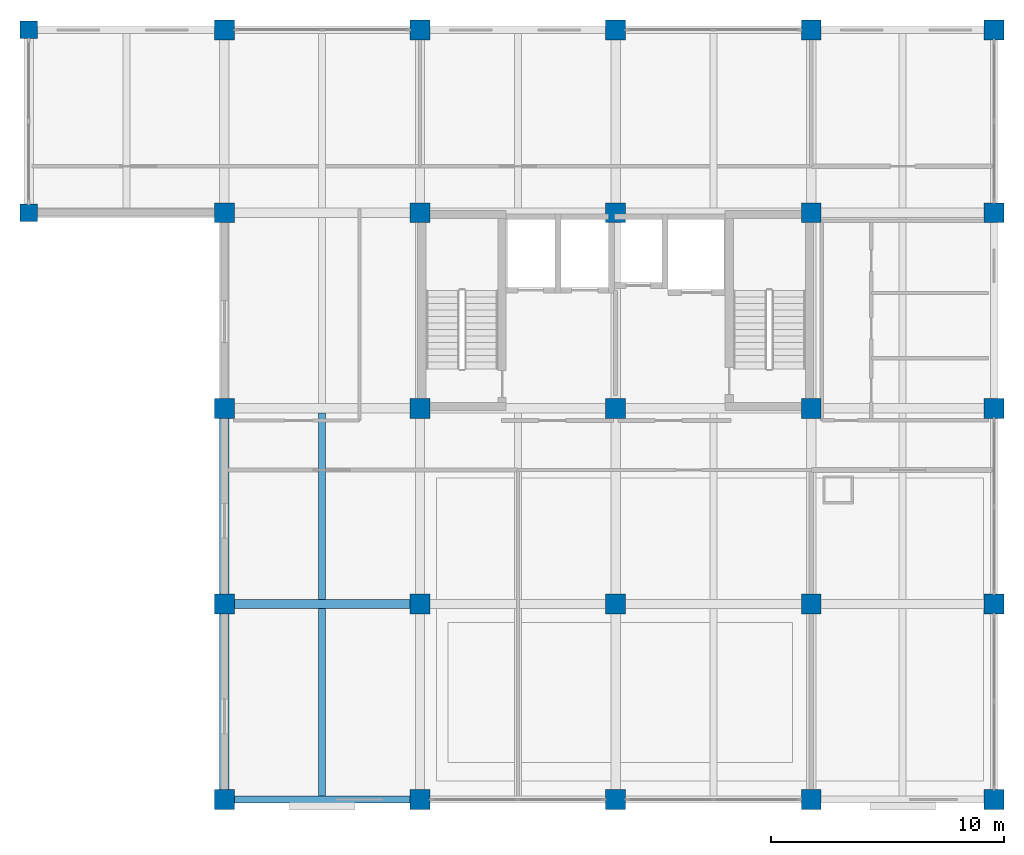
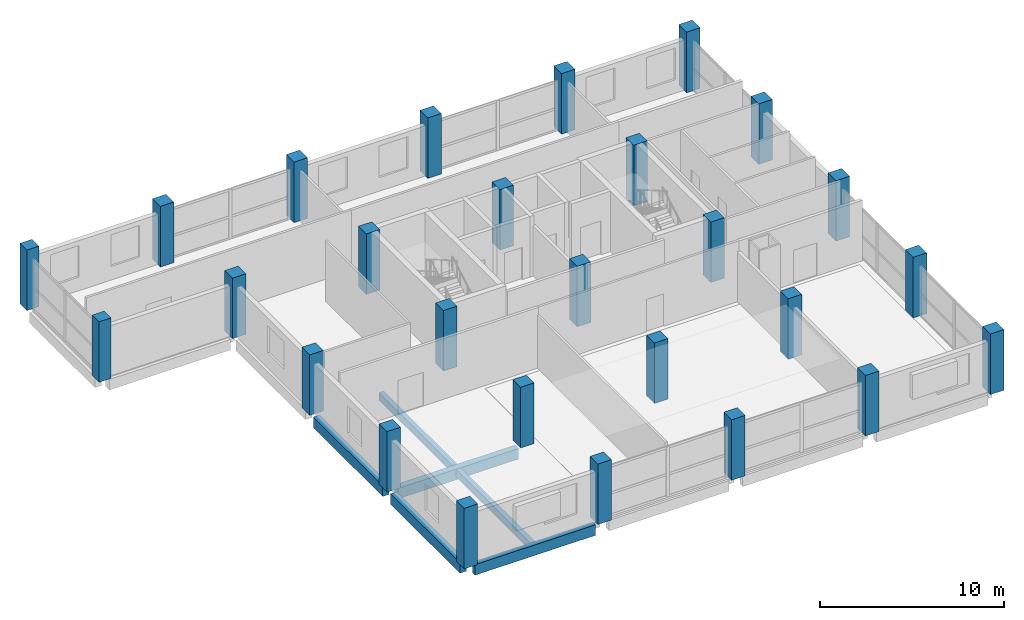
# One storey, part 1 of 9: 27 columns, 6 beams.
"""IFC4 building model written with IfcOpenShell, lengths in metres."""

import ifcopenshell
import ifcopenshell.guid

model = None  # the IFC model being written
_history = None  # IfcOwnerHistory: only IFC2X3 demands one
_inside = {}  # id of a spatial element -> (the spatial element, [elements in it])
_under = {}  # id of a project, library or spatial element -> (it, [spatial elements below it])
_declared = {}  # id of a project -> (the project, [libraries it declares])
_typed = {}  # id of a type object -> (the type object, [elements of that type])
_made_of = {}  # id of a material, layer set ... -> (it, [elements and type objects made of it])


def new_model(schema):
    """Start an empty IFC model of exactly this schema.

    Asked for "IFC4X3", IfcOpenShell would pick the latest addendum, in which some entities
    have other attributes; the version numbers below select the first issue.
    IFC2X3 requires an IfcOwnerHistory on every rooted entity: one is made here for all.
    """
    global model, _history
    if schema == "IFC4X3":
        model = ifcopenshell.file(schema_version=(4, 3, 0, 0))
    else:
        model = ifcopenshell.file(schema=schema)
    _inside.clear()
    _under.clear()
    _declared.clear()
    _typed.clear()
    _made_of.clear()
    _history = None
    if model.schema == "IFC2X3":
        org = make("IfcOrganization", Name="unknown")
        user = make(
            "IfcPersonAndOrganization",
            ThePerson=make("IfcPerson", FamilyName="unknown"),
            TheOrganization=org,
        )
        app = make(
            "IfcApplication",
            ApplicationDeveloper=org,
            Version="unknown",
            ApplicationFullName="unknown",
            ApplicationIdentifier="unknown",
        )
        _history = make(
            "IfcOwnerHistory",
            OwningUser=user,
            OwningApplication=app,
            ChangeAction="ADDED",
            CreationDate=0,
        )
    return model


def make(cls, **values):
    """One entity of the class cls with the attributes given. An attribute that is None is left unset."""
    return model.create_entity(
        cls, **{name: value for name, value in values.items() if value is not None}
    )


def rooted(cls, **values):
    """An entity with a GlobalId (a new one), such as an element, a storey or a relation."""
    return make(cls, GlobalId=ifcopenshell.guid.new(), OwnerHistory=_history, **values)


def si_unit(unit_type, name, prefix=None):
    """IfcSIUnit, for example si_unit("LENGTHUNIT", "METRE", prefix="MILLI")."""
    return make("IfcSIUnit", UnitType=unit_type, Prefix=prefix, Name=name)


def assignment(units):
    """IfcUnitAssignment: the units of a project."""
    return None if units is None else make("IfcUnitAssignment", Units=units)


def point(xyz):
    """IfcCartesianPoint."""
    return None if xyz is None else make("IfcCartesianPoint", Coordinates=xyz)


def direction(xyz):
    """IfcDirection."""
    return None if xyz is None else make("IfcDirection", DirectionRatios=xyz)


def frame(location, z_axis=None, x_axis=None):
    """IfcAxis2Placement3D, a coordinate frame: its origin and axes. An axis left out is left unset."""
    return make(
        "IfcAxis2Placement3D",
        Location=point(location),
        Axis=direction(z_axis),
        RefDirection=direction(x_axis),
    )


def frame_2d(location, x_axis=None):
    """IfcAxis2Placement2D, a coordinate frame in the plane: its origin and x axis."""
    return make(
        "IfcAxis2Placement2D", Location=point(location), RefDirection=direction(x_axis)
    )


def origin():
    """The frame at (0, 0, 0) with its axes left unset."""
    return frame((0.0, 0.0, 0.0))


def origin_2d():
    """The frame at (0, 0) in the plane with its x axis left unset."""
    return frame_2d((0.0, 0.0))


def place(relative_to, where):
    """IfcLocalPlacement: puts the frame where relative to a parent placement (None: the world)."""
    return make(
        "IfcLocalPlacement", PlacementRelTo=relative_to, RelativePlacement=where
    )


def context(
    kind, dimensions, precision=None, world=None, true_north=None, identifier=None
):
    """IfcGeometricRepresentationContext, for example the 3D "Model" context."""
    return make(
        "IfcGeometricRepresentationContext",
        ContextIdentifier=identifier,
        ContextType=kind,
        CoordinateSpaceDimension=dimensions,
        Precision=precision,
        WorldCoordinateSystem=world,
        TrueNorth=true_north,
    )


def subcontext(parent, identifier, kind, view, scale=None):
    """IfcGeometricRepresentationSubContext, for example "Body" below "Model"."""
    return make(
        "IfcGeometricRepresentationSubContext",
        ContextIdentifier=identifier,
        ContextType=kind,
        ParentContext=parent,
        TargetScale=scale,
        TargetView=view,
    )


def project(units=None, contexts=None):
    """IfcProject with its units and contexts."""
    return rooted(
        "IfcProject",
        Name="project",
        RepresentationContexts=contexts,
        UnitsInContext=assignment(units),
    )


def spatial(cls, under=None, at=None, **own):
    """A site, building, storey or space (cls), placed at a placement, below another one or the project."""
    s = rooted(cls, ObjectPlacement=at, **own)
    if under is not None:
        _under.setdefault(under.id(), (under, []))[1].append(s)
    return s


def profile(cls, at=None, kind="AREA", **sizes):
    """A parametric profile (cls). Its sizes go by their IFC names, for example OverallWidth=200.0."""
    return make(cls, ProfileType=kind, Position=at, **sizes)


def rectangle(**sizes):
    """IfcRectangleProfileDef."""
    return profile("IfcRectangleProfileDef", **sizes)


def extrude(swept, where, along, depth):
    """IfcExtrudedAreaSolid: the profile swept, set in the frame where, extruded along a direction by depth."""
    return make(
        "IfcExtrudedAreaSolid",
        SweptArea=swept,
        Position=where,
        ExtrudedDirection=direction(along),
        Depth=depth,
    )


def shape(context_of_items, identifier, shape_type, items):
    """IfcShapeRepresentation: the items that make up one representation, for example the "Body"."""
    return make(
        "IfcShapeRepresentation",
        ContextOfItems=context_of_items,
        RepresentationIdentifier=identifier,
        RepresentationType=shape_type,
        Items=items,
    )


def material(Name=None, Category=None):
    """IfcMaterial."""
    return make("IfcMaterial", Name=Name, Category=Category)


def material_profile(
    of_material, cross_section, Name=None, Category=None, Priority=None
):
    """IfcMaterialProfile: a cross section and its material."""
    return make(
        "IfcMaterialProfile",
        Name=Name,
        Material=of_material,
        Profile=cross_section,
        Priority=Priority,
        Category=Category,
    )


def profile_set(profiles, Name=None, composite=None):
    """IfcMaterialProfileSet."""
    return make(
        "IfcMaterialProfileSet",
        Name=Name,
        MaterialProfiles=profiles,
        CompositeProfile=composite,
    )


def made_of(thing, what):
    """Note that an element or type object is made of a material, layer set ...; save() writes the relation."""
    if what is not None:
        _made_of.setdefault(what.id(), (what, []))[1].append(thing)
    return thing


def type_object(cls, material=None, **own):
    """A type object (cls), such as IfcWallType, which elements share."""
    return made_of(rooted(cls, **own), material)


def element(
    cls,
    number,
    at=None,
    inside=None,
    cuts=None,
    type_object=None,
    material=None,
    context=None,
    identifier="Body",
    shape_type=None,
    held_by="IfcProductDefinitionShape",
    body=None,
    shapes=None,
    **own,
):
    """One element of the class cls, such as IfcWall. Its Tag is "e" and its number.

    at: its placement. inside: the storey or other place that contains it. cuts: it is an
    opening in that element (IfcRelVoidsElement). A single representation is given by context,
    identifier, shape_type and body (its items); several are given by shapes. held_by: the class
    of the entity that holds the representations. save() writes the other relations.
    """
    e = rooted(cls, Tag="e%d" % number, ObjectPlacement=at, **own)
    if body is not None:
        shapes = [shape(context, identifier, shape_type, body)]
    if shapes is not None:
        e.Representation = make(held_by, Representations=shapes)
    if inside is not None:
        _inside.setdefault(inside.id(), (inside, []))[1].append(e)
    if cuts is not None:
        rooted(
            "IfcRelVoidsElement", RelatingBuildingElement=cuts, RelatedOpeningElement=e
        )
    if type_object is not None:
        _typed.setdefault(type_object.id(), (type_object, []))[1].append(e)
    return made_of(e, material)


def aggregate(whole, parts):
    """IfcRelAggregates: a whole, such as a stair, and the parts it consists of."""
    return rooted("IfcRelAggregates", RelatingObject=whole, RelatedObjects=parts)


def save(model, path):
    """Write the relations noted so far, then the file.

    IfcRelAggregates (storeys below a building ...), IfcRelContainedInSpatialStructure (elements
    in a storey), IfcRelDefinesByType, IfcRelAssociatesMaterial and IfcRelDeclares: one each for
    every whole, place, type object, material and project.
    """
    for whole, parts in _under.values():
        aggregate(whole, parts)
    for where, things in _inside.values():
        rooted(
            "IfcRelContainedInSpatialStructure",
            RelatedElements=things,
            RelatingStructure=where,
        )
    for kind, things in _typed.values():
        rooted("IfcRelDefinesByType", RelatedObjects=things, RelatingType=kind)
    for what, things in _made_of.values():
        rooted("IfcRelAssociatesMaterial", RelatedObjects=things, RelatingMaterial=what)
    for by, libraries in _declared.values():
        rooted("IfcRelDeclares", RelatingContext=by, RelatedDefinitions=libraries)
    model.write(path)


model = new_model("IFC4")

# Units and contexts
model_context = context("Model", 3, precision=1e-05, world=origin(), true_north=direction((0.0, 1.0)))
body_context = subcontext(model_context, "Body", "Model", "MODEL_VIEW")
ifc_project = project(units=[si_unit("LENGTHUNIT", "METRE"), si_unit("AREAUNIT", "SQUARE_METRE"), si_unit("VOLUMEUNIT", "CUBIC_METRE"), si_unit("PLANEANGLEUNIT", "RADIAN"), si_unit("MASSUNIT", "GRAM", prefix="KILO")], contexts=[model_context])

# Site, building, storey
site_placement = place(None, origin())
site = spatial("IfcSite", under=ifc_project, at=site_placement, CompositionType="ELEMENT")
building_placement = place(site_placement, origin())
building = spatial("IfcBuilding", under=site, at=building_placement, Name="Brinegate Botanical Conservatory", CompositionType="ELEMENT")
storey_placement = place(building_placement, frame((0.0, 0.0, 31.800048828125)))
storey = spatial("IfcBuildingStorey", under=building, at=storey_placement, Name="L08", CompositionType="ELEMENT", Elevation=31.800048828125)

# Columns
ifc_material = material(Name="Concrete C40/50", Category="concrete")
ifc_material_profile_1 = material_profile(ifc_material, rectangle(XDim=0.85009765625, YDim=0.85009765625, at=origin_2d()), Name="RC COL 850x850")
ifc_profile_set_1 = profile_set([ifc_material_profile_1], Name="Concrete C40/50")
column_type_1 = type_object("IfcColumnType", Name="Col_C-T3", PredefinedType="COLUMN", material=ifc_profile_set_1)
for number, where, z_axis, x_axis, name in (
    (1, (130.39990234375, 78.39990234375, 0.0), (0.0, 0.0, 1.0), (1.0, 0.0, 0.0), "Column C-T3 L08 K-17"),
    (2, (130.39990234375, 86.800048828125, 0.0), (0.0, 0.0, 1.0), (1.0, 0.0, 0.0), "Column C-T3 L08 L-17"),
    (3, (130.39990234375, 95.199951171875, 0.0), (0.0, 0.0, 1.0), (1.0, 0.0, 0.0), "Column C-T3 L08 M-17"),
    (4, (130.39990234375, 103.60009765625, 0.0), (0.0, 0.0, 1.0), (1.0, 0.0, 0.0), "Column C-T3 L08 N-17"),
    (5, (130.39990234375, 111.449951171875, 0.0), (0.0, 0.0, 1.0), (1.0, 0.0, 0.0), "Column C-T3 L08 P-17"),
    (6, (138.800048828125, 78.39990234375, 0.0), (0.0, 0.0, 1.0), (1.0, 0.0, 0.0), "Column C-T3 L08 K-18"),
    (7, (138.800048828125, 86.800048828125, 0.0), (0.0, 0.0, 1.0), (1.0, 0.0, 0.0), "Column C-T3 L08 L-18"),
    (8, (138.800048828125, 95.199951171875, 0.0), (0.0, 0.0, 1.0), (1.0, 0.0, 0.0), "Column C-T3 L08 M-18"),
    (9, (138.800048828125, 103.60009765625, 0.0), (0.0, 0.0, 1.0), (1.0, 0.0, 0.0), "Column C-T3 L08 N-18"),
    (10, (138.800048828125, 111.449951171875, 0.0), (0.0, 0.0, 1.0), (1.0, 0.0, 0.0), "Column C-T3 L08 P-18"),
    (11, (147.199951171875, 78.39990234375, 0.0), (0.0, 0.0, 1.0), (1.0, 0.0, 0.0), "Column C-T3 L08 K-19"),
    (12, (147.199951171875, 86.800048828125, 0.0), (0.0, 0.0, 1.0), (1.0, 0.0, 0.0), "Column C-T3 L08 L-19"),
    (13, (147.199951171875, 95.199951171875, 0.0), (0.0, 0.0, 1.0), (1.0, 0.0, 0.0), "Column C-T3 L08 M-19"),
    (14, (147.199951171875, 103.60009765625, 0.0), (0.0, 0.0, 1.0), (1.0, 0.0, 0.0), "Column C-T3 L08 N-19"),
    (15, (147.199951171875, 111.449951171875, 0.0), (0.0, 0.0, 1.0), (1.0, 0.0, 0.0), "Column C-T3 L08 P-19"),
    (16, (155.60009765625, 78.39990234375, 0.0), (0.0, 0.0, 1.0), (1.0, 0.0, 0.0), "Column C-T3 L08 K-20"),
    (17, (155.60009765625, 86.800048828125, 0.0), (0.0, 0.0, 1.0), (1.0, 0.0, 0.0), "Column C-T3 L08 L-20"),
    (18, (155.60009765625, 95.199951171875, 0.0), (0.0, 0.0, 1.0), (1.0, 0.0, 0.0), "Column C-T3 L08 M-20"),
    (19, (155.60009765625, 103.60009765625, 0.0), (0.0, 0.0, 1.0), (1.0, 0.0, 0.0), "Column C-T3 L08 N-20"),
    (20, (155.60009765625, 111.449951171875, 0.0), (0.0, 0.0, 1.0), (1.0, 0.0, 0.0), "Column C-T3 L08 P-20"),
    (21, (163.449951171875, 78.39990234375, 0.0), (0.0, 0.0, 1.0), (1.0, 0.0, 0.0), "Column C-T3 L08 K-21"),
    (22, (163.449951171875, 86.800048828125, 0.0), (0.0, 0.0, 1.0), (1.0, 0.0, 0.0), "Column C-T3 L08 L-21"),
    (23, (163.449951171875, 95.199951171875, 0.0), (0.0, 0.0, 1.0), (1.0, 0.0, 0.0), "Column C-T3 L08 M-21"),
    (24, (163.449951171875, 103.60009765625, 0.0), (0.0, 0.0, 1.0), (1.0, 0.0, 0.0), "Column C-T3 L08 N-21"),
    (25, (163.449951171875, 111.449951171875, 0.0), (0.0, 0.0, 1.0), (1.0, 0.0, 0.0), "Column C-T3 L08 P-21"),
):
    element("IfcColumn", number, at=place(storey_placement, frame(where, z_axis=z_axis, x_axis=x_axis)), inside=storey, type_object=column_type_1, Name=name, PredefinedType="COLUMN", context=body_context, shape_type="SweptSolid", body=[
        extrude(rectangle(XDim=0.85009765625, YDim=0.85009765625, at=origin_2d()), origin(), (0.0, 0.0, 1.0), 4.02001953125),
    ])
ifc_material_profile_2 = material_profile(ifc_material, rectangle(XDim=0.75, YDim=0.75, at=origin_2d()), Name="RC COL 750x750")
ifc_profile_set_2 = profile_set([ifc_material_profile_2], Name="Concrete C40/50")
column_type_2 = type_object("IfcColumnType", Name="Col_C-T4", PredefinedType="COLUMN", material=ifc_profile_set_2)
for number, where, z_axis, x_axis, name in (
    (26, (122.0, 103.60009765625, 0.0), (0.0, 0.0, 1.0), (1.0, 0.0, 0.0), "Column C-T4 L08 N-16"),
    (27, (122.0, 111.449951171875, 0.0), (0.0, 0.0, 1.0), (1.0, 0.0, 0.0), "Column C-T4 L08 P-16"),
):
    element("IfcColumn", number, at=place(storey_placement, frame(where, z_axis=z_axis, x_axis=x_axis)), inside=storey, type_object=column_type_2, Name=name, PredefinedType="COLUMN", context=body_context, shape_type="SweptSolid", body=[
        extrude(rectangle(XDim=0.75, YDim=0.75, at=origin_2d()), origin(), (0.0, 0.0, 1.0), 4.02001953125),
    ])

# Beams
ifc_material_profile_3 = material_profile(ifc_material, rectangle(XDim=0.39990234375, YDim=0.699951171875, at=origin_2d()), Name="RC BM 400x700")
ifc_profile_set_3 = profile_set([ifc_material_profile_3], Name="Concrete C40/50")
beam_type_1 = type_object("IfcBeamType", Name="Beam_BM-T2", PredefinedType="BEAM", material=ifc_profile_set_3)
for number, where, z_axis, x_axis, name in (
    (28, (130.824951171875, 86.800048828125, -0.530029296875), (1.0, 0.0, 0.0), (0.0, 1.0, 0.0), "Beam BM-T2 L08 L:17-18"),
    (29, (130.39990234375, 78.824951171875, -0.530029296875), (0.0, 1.0, 0.0), (-1.0, 0.0, 0.0), "Beam BM-T2 L08 17:K-L"),
):
    element("IfcBeam", number, at=place(storey_placement, frame(where, z_axis=z_axis, x_axis=x_axis)), inside=storey, type_object=beam_type_1, Name=name, PredefinedType="BEAM", context=body_context, shape_type="SweptSolid", body=[
        extrude(rectangle(XDim=0.39990234375, YDim=0.699951171875, at=origin_2d()), origin(), (0.0, 0.0, 1.0), 7.550048828125),
    ])
beam_1_placement = place(storey_placement, frame((130.39990234375, 87.22509765625, -0.530029296875), z_axis=(0.0, 1.0, 0.0), x_axis=(-1.0, 0.0, 0.0)))
element("IfcBeam", 30, at=beam_1_placement, inside=storey, type_object=beam_type_1, Name="Beam BM-T2 L08 17:L-M", PredefinedType="BEAM", context=body_context, shape_type="SweptSolid", body=[
    extrude(rectangle(XDim=0.39990234375, YDim=0.699951171875, at=origin_2d()), origin(), (0.0, 0.0, 1.0), 7.5498046875),
])
ifc_material_profile_4 = material_profile(ifc_material, rectangle(XDim=0.300048828125, YDim=0.5, at=origin_2d()), Name="RC JST 300x500")
ifc_profile_set_4 = profile_set([ifc_material_profile_4], Name="Concrete C40/50")
beam_type_2 = type_object("IfcBeamType", Name="Beam_JS-C2", PredefinedType="JOIST", material=ifc_profile_set_4)
beam_2_placement = place(storey_placement, frame((134.60009765625, 78.550048828125, -0.429931640625), z_axis=(0.0, 1.0, 0.0), x_axis=(-1.0, 0.0, 0.0)))
element("IfcBeam", 31, at=beam_2_placement, inside=storey, type_object=beam_type_2, Name="Floor joist JS-C2 L08 bay 17.10", PredefinedType="JOIST", context=body_context, shape_type="SweptSolid", body=[
    extrude(rectangle(XDim=0.300048828125, YDim=0.5, at=origin_2d()), origin(), (0.0, 0.0, 1.0), 8.050048828125),
])
beam_3_placement = place(storey_placement, frame((134.60009765625, 87.0, -0.429931640625), z_axis=(0.0, 1.0, 0.0), x_axis=(-1.0, 0.0, 0.0)))
element("IfcBeam", 32, at=beam_3_placement, inside=storey, type_object=beam_type_2, Name="Floor joist JS-C2 L08 bay 17.11", PredefinedType="JOIST", context=body_context, shape_type="SweptSolid", body=[
    extrude(rectangle(XDim=0.300048828125, YDim=0.5, at=origin_2d()), origin(), (0.0, 0.0, 1.0), 8.0),
])
ifc_material_profile_5 = material_profile(ifc_material, rectangle(XDim=0.300048828125, YDim=0.699951171875, at=origin_2d()), Name="RC SPN 300x700")
ifc_profile_set_5 = profile_set([ifc_material_profile_5], Name="Concrete C40/50")
beam_type_3 = type_object("IfcBeamType", Name="Beam_SP-02", PredefinedType="SPANDREL", material=ifc_profile_set_5)
beam_4_placement = place(storey_placement, frame((130.824951171875, 78.39990234375, -0.530029296875), z_axis=(1.0, 0.0, 0.0), x_axis=(0.0, 1.0, 0.0)))
element("IfcBeam", 33, at=beam_4_placement, inside=storey, type_object=beam_type_3, Name="Beam SP-02 L08 K:17-18", PredefinedType="SPANDREL", context=body_context, shape_type="SweptSolid", body=[
    extrude(rectangle(XDim=0.300048828125, YDim=0.699951171875, at=origin_2d()), origin(), (0.0, 0.0, 1.0), 7.550048828125),
])

save(model, "model.ifc")
